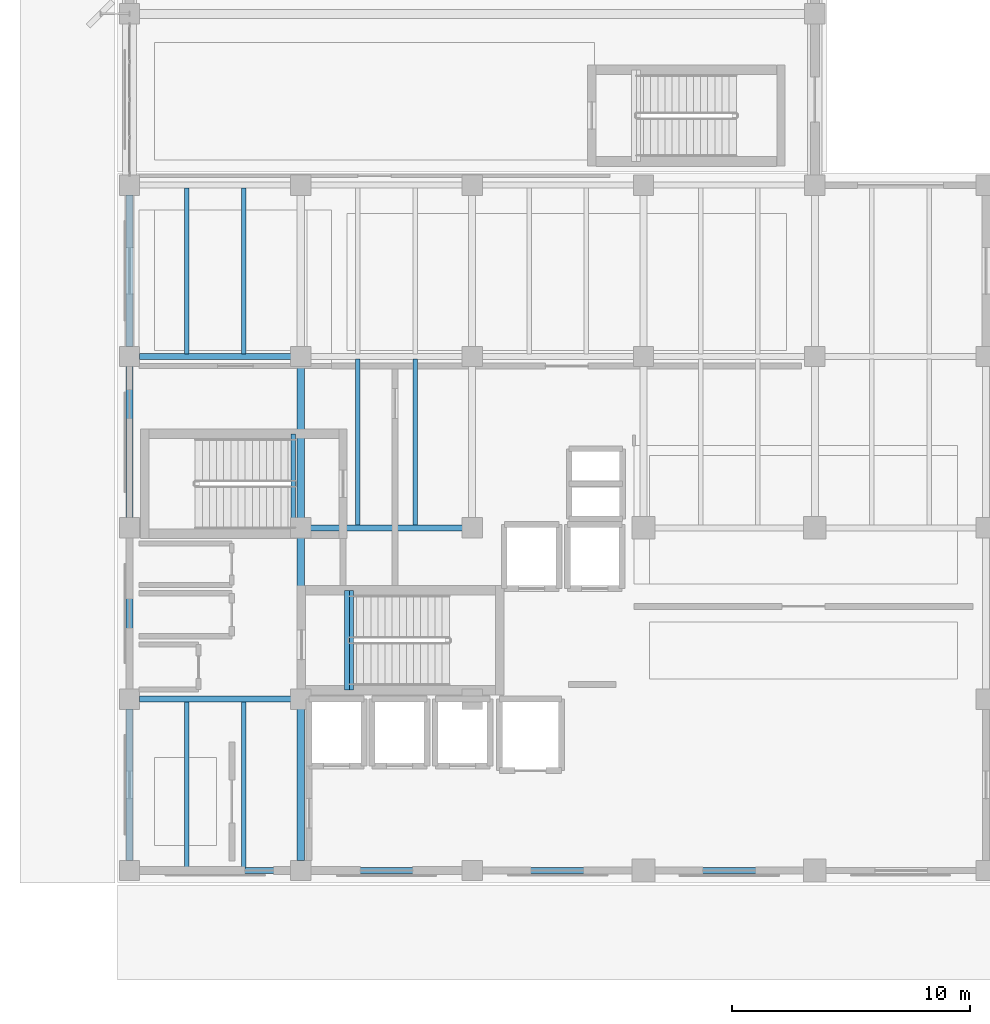
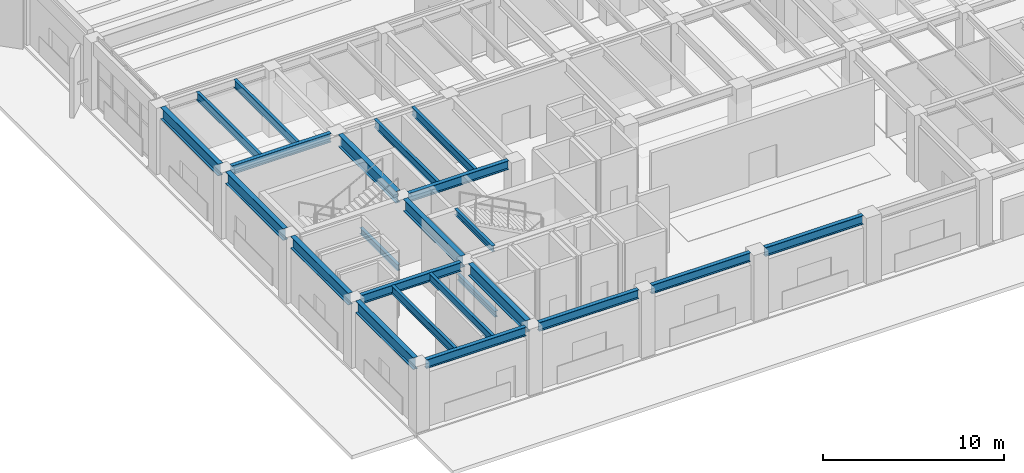
# One storey, part 4 of 39: 23 beams.
"""IFC4 building model written with IfcOpenShell, lengths in metres."""

from ifc_helpers import new_model, si_unit, direction, frame, origin, origin_2d, place, context, subcontext, project, spatial, i_section, extrude, material, material_profile, profile_set, type_object, element, save


model = new_model("IFC4")

# Units and contexts
model_context = context("Model", 3, precision=1e-05, world=origin(), true_north=direction((0.0, 1.0)))
body_context = subcontext(model_context, "Body", "Model", "MODEL_VIEW")
ifc_project = project(units=[si_unit("LENGTHUNIT", "METRE"), si_unit("AREAUNIT", "SQUARE_METRE"), si_unit("VOLUMEUNIT", "CUBIC_METRE"), si_unit("PLANEANGLEUNIT", "RADIAN"), si_unit("MASSUNIT", "GRAM", prefix="KILO")], contexts=[model_context])

# Site, building, storey
site_placement = place(None, origin())
site = spatial("IfcSite", under=ifc_project, at=site_placement, CompositionType="ELEMENT")
building_placement = place(site_placement, origin())
building = spatial("IfcBuilding", under=site, at=building_placement, Name="Kandorven Conservatory and Botanical Research Centre", CompositionType="ELEMENT")
storey_placement = place(building_placement, origin())
storey = spatial("IfcBuildingStorey", under=building, at=storey_placement, Name="L00", CompositionType="ELEMENT", Elevation=0.0)

# Beams
ifc_material_1 = material(Name="Steel S355 (IS 2062 E350)", Category="steel")
ifc_material_profile_1 = material_profile(ifc_material_1, i_section(OverallWidth=0.25, OverallDepth=0.60009765625, WebThickness=0.01171875, FlangeThickness=0.023681640625, at=origin_2d()))
ifc_profile_set_1 = profile_set([ifc_material_profile_1], Name="Steel S355 (IS 2062 E350)")
beam_type_1 = type_object("IfcBeamType", Name="Beam_FG-01", PredefinedType="USERDEFINED", material=ifc_profile_set_1)
beam_1_placement = place(storey_placement, frame((6.4150390625, 6.0, 4.179931640625), z_axis=(1.0, 0.0, 0.0), x_axis=(0.0, 1.0, 0.0)))
element("IfcBeam", 1, at=beam_1_placement, inside=storey, type_object=beam_type_1, Name="Primary girder FG-01 TWR L00", ObjectType="GIRDER", PredefinedType="USERDEFINED", context=body_context, shape_type="SweptSolid", body=[
    extrude(i_section(OverallWidth=0.25, OverallDepth=0.60009765625, WebThickness=0.01171875, FlangeThickness=0.023681640625, at=origin_2d()), origin(), (0.0, 0.0, 1.0), 6.369873046875),
])
beam_2_placement = place(storey_placement, frame((13.614990234375, 6.0, 4.179931640625), z_axis=(1.0, 0.0, 0.0), x_axis=(0.0, 1.0, 0.0)))
element("IfcBeam", 2, at=beam_2_placement, inside=storey, type_object=beam_type_1, Name="Primary girder FG-01 TWR L00", ObjectType="GIRDER", PredefinedType="USERDEFINED", context=body_context, shape_type="SweptSolid", body=[
    extrude(i_section(OverallWidth=0.25, OverallDepth=0.60009765625, WebThickness=0.01171875, FlangeThickness=0.023681640625, at=origin_2d()), origin(), (0.0, 0.0, 1.0), 6.3701171875),
])
beam_3_placement = place(storey_placement, frame((20.81494140625, 6.0, 4.179931640625), z_axis=(1.0, 0.0, 0.0), x_axis=(0.0, 1.0, 0.0)))
element("IfcBeam", 3, at=beam_3_placement, inside=storey, type_object=beam_type_1, Name="Primary girder FG-01 TWR L00", ObjectType="GIRDER", PredefinedType="USERDEFINED", context=body_context, shape_type="SweptSolid", body=[
    extrude(i_section(OverallWidth=0.25, OverallDepth=0.60009765625, WebThickness=0.01171875, FlangeThickness=0.023681640625, at=origin_2d()), origin(), (0.0, 0.0, 1.0), 6.320068359375),
])
beam_4_placement = place(storey_placement, frame((28.06494140625, 6.0, 4.179931640625), z_axis=(1.0, 0.0, 0.0), x_axis=(0.0, 1.0, 0.0)))
element("IfcBeam", 4, at=beam_4_placement, inside=storey, type_object=beam_type_1, Name="Primary girder FG-01 TWR L00", ObjectType="GIRDER", PredefinedType="USERDEFINED", context=body_context, shape_type="SweptSolid", body=[
    extrude(i_section(OverallWidth=0.25, OverallDepth=0.60009765625, WebThickness=0.01171875, FlangeThickness=0.023681640625, at=origin_2d()), origin(), (0.0, 0.0, 1.0), 6.27001953125),
])
beam_5_placement = place(storey_placement, frame((6.4150390625, 13.199951171875, 4.179931640625), z_axis=(1.0, 0.0, 0.0), x_axis=(0.0, 1.0, 0.0)))
element("IfcBeam", 5, at=beam_5_placement, inside=storey, type_object=beam_type_1, Name="Primary girder FG-01 TWR L00", ObjectType="GIRDER", PredefinedType="USERDEFINED", context=body_context, shape_type="SweptSolid", body=[
    extrude(i_section(OverallWidth=0.25, OverallDepth=0.60009765625, WebThickness=0.01171875, FlangeThickness=0.023681640625, at=origin_2d()), origin(), (0.0, 0.0, 1.0), 6.369873046875),
])
beam_6_placement = place(storey_placement, frame((13.614990234375, 20.39990234375, 4.179931640625), z_axis=(1.0, 0.0, 0.0), x_axis=(0.0, 1.0, 0.0)))
element("IfcBeam", 6, at=beam_6_placement, inside=storey, type_object=beam_type_1, Name="Primary girder FG-01 TWR L00", ObjectType="GIRDER", PredefinedType="USERDEFINED", context=body_context, shape_type="SweptSolid", body=[
    extrude(i_section(OverallWidth=0.25, OverallDepth=0.60009765625, WebThickness=0.01171875, FlangeThickness=0.023681640625, at=origin_2d()), origin(), (0.0, 0.0, 1.0), 6.3701171875),
])
beam_7_placement = place(storey_placement, frame((6.4150390625, 27.60009765625, 4.179931640625), z_axis=(1.0, 0.0, 0.0), x_axis=(0.0, 1.0, 0.0)))
element("IfcBeam", 7, at=beam_7_placement, inside=storey, type_object=beam_type_1, Name="Primary girder FG-01 TWR L00", ObjectType="GIRDER", PredefinedType="USERDEFINED", context=body_context, shape_type="SweptSolid", body=[
    extrude(i_section(OverallWidth=0.25, OverallDepth=0.60009765625, WebThickness=0.01171875, FlangeThickness=0.023681640625, at=origin_2d()), origin(), (0.0, 0.0, 1.0), 6.369873046875),
])
ifc_material_2 = material(Name="Steel S355 (IS 2062 E350)", Category="steel")
ifc_material_profile_2 = material_profile(ifc_material_2, i_section(OverallWidth=0.199951171875, OverallDepth=0.39990234375, WebThickness=0.008544921875, FlangeThickness=0.012939453125, at=origin_2d()))
ifc_profile_set_2 = profile_set([ifc_material_profile_2], Name="Steel S355 (IS 2062 E350)")
beam_type_2 = type_object("IfcBeamType", Name="Beam_FG-03", PredefinedType="USERDEFINED", material=ifc_profile_set_2)
for number, where, z_axis, x_axis, name in (
    (8, (15.320068359375, 13.580078125, -0.199951171875), (0.0, 1.0, 0.0), (-1.0, 0.0, 0.0), "Stair well bottom trimmer girder FG-03 ST-T1 L00"),
    (9, (15.139892578125, 13.580078125, 4.280029296875), (0.0, 1.0, 0.0), (-1.0, 0.0, 0.0), "Stair well top header girder FG-03 ST-T1 L00"),
):
    element("IfcBeam", number, at=place(storey_placement, frame(where, z_axis=z_axis, x_axis=x_axis)), inside=storey, type_object=beam_type_2, Name=name, ObjectType="GIRDER", PredefinedType="USERDEFINED", context=body_context, shape_type="SweptSolid", body=[
        extrude(i_section(OverallWidth=0.199951171875, OverallDepth=0.39990234375, WebThickness=0.008544921875, FlangeThickness=0.012939453125, at=origin_2d()), origin(), (0.0, 0.0, 1.0), 4.18994140625),
    ])
beam_8_placement = place(storey_placement, frame((12.8798828125, 24.35009765625, -0.199951171875), z_axis=(0.0, -1.0, 0.0), x_axis=(1.0, 0.0, 0.0)))
element("IfcBeam", 10, at=beam_8_placement, inside=storey, type_object=beam_type_2, Name="Stair well bottom trimmer girder FG-03 ST-T2 L00", ObjectType="GIRDER", PredefinedType="USERDEFINED", context=body_context, shape_type="SweptSolid", body=[
    extrude(i_section(OverallWidth=0.199951171875, OverallDepth=0.39990234375, WebThickness=0.008544921875, FlangeThickness=0.012939453125, at=origin_2d()), origin(), (0.0, 0.0, 1.0), 4.190185546875),
])
ifc_material_3 = material(Name="Steel S355 (IS 2062 E350)", Category="steel")
ifc_material_profile_3 = material_profile(ifc_material_3, i_section(OverallWidth=0.300048828125, OverallDepth=0.800048828125, WebThickness=0.01611328125, FlangeThickness=0.028076171875, at=origin_2d()))
ifc_profile_set_3 = profile_set([ifc_material_profile_3], Name="Steel S355 (IS 2062 E350)")
beam_type_3 = type_object("IfcBeamType", Name="Beam_PG-02", PredefinedType="USERDEFINED", material=ifc_profile_set_3)
beam_9_placement = place(storey_placement, frame((6.0, 6.4150390625, 4.080078125), z_axis=(0.0, 1.0, 0.0), x_axis=(-1.0, 0.0, 0.0)))
element("IfcBeam", 11, at=beam_9_placement, inside=storey, type_object=beam_type_3, Name="Primary girder PG-02 TWR L00", ObjectType="GIRDER", PredefinedType="USERDEFINED", context=body_context, shape_type="SweptSolid", body=[
    extrude(i_section(OverallWidth=0.300048828125, OverallDepth=0.800048828125, WebThickness=0.01611328125, FlangeThickness=0.028076171875, at=origin_2d()), origin(), (0.0, 0.0, 1.0), 6.369873046875),
])
for number, where, z_axis, x_axis, name in (
    (12, (6.0, 13.614990234375, 4.080078125), (0.0, 1.0, 0.0), (-1.0, 0.0, 0.0), "Primary girder PG-02 TWR L00"),
    (13, (6.0, 20.81494140625, 4.080078125), (0.0, 1.0, 0.0), (-1.0, 0.0, 0.0), "Primary girder PG-02 TWR L00"),
    (14, (6.0, 28.014892578125, 4.080078125), (0.0, 1.0, 0.0), (-1.0, 0.0, 0.0), "Primary girder PG-02 TWR L00"),
):
    element("IfcBeam", number, at=place(storey_placement, frame(where, z_axis=z_axis, x_axis=x_axis)), inside=storey, type_object=beam_type_3, Name=name, ObjectType="GIRDER", PredefinedType="USERDEFINED", context=body_context, shape_type="SweptSolid", body=[
        extrude(i_section(OverallWidth=0.300048828125, OverallDepth=0.800048828125, WebThickness=0.01611328125, FlangeThickness=0.028076171875, at=origin_2d()), origin(), (0.0, 0.0, 1.0), 6.3701171875),
    ])
beam_10_placement = place(storey_placement, frame((13.199951171875, 6.4150390625, 4.080078125), z_axis=(0.0, 1.0, 0.0), x_axis=(-1.0, 0.0, 0.0)))
element("IfcBeam", 15, at=beam_10_placement, inside=storey, type_object=beam_type_3, Name="Primary girder PG-02 TWR L00", ObjectType="GIRDER", PredefinedType="USERDEFINED", context=body_context, shape_type="SweptSolid", body=[
    extrude(i_section(OverallWidth=0.300048828125, OverallDepth=0.800048828125, WebThickness=0.01611328125, FlangeThickness=0.028076171875, at=origin_2d()), origin(), (0.0, 0.0, 1.0), 6.369873046875),
])
for number, where, z_axis, x_axis, name in (
    (16, (13.199951171875, 13.614990234375, 4.080078125), (0.0, 1.0, 0.0), (-1.0, 0.0, 0.0), "Primary girder PG-02 TWR L00"),
    (17, (13.199951171875, 20.81494140625, 4.080078125), (0.0, 1.0, 0.0), (-1.0, 0.0, 0.0), "Primary girder PG-02 TWR L00"),
):
    element("IfcBeam", number, at=place(storey_placement, frame(where, z_axis=z_axis, x_axis=x_axis)), inside=storey, type_object=beam_type_3, Name=name, ObjectType="GIRDER", PredefinedType="USERDEFINED", context=body_context, shape_type="SweptSolid", body=[
        extrude(i_section(OverallWidth=0.300048828125, OverallDepth=0.800048828125, WebThickness=0.01611328125, FlangeThickness=0.028076171875, at=origin_2d()), origin(), (0.0, 0.0, 1.0), 6.3701171875),
    ])
ifc_material_4 = material(Name="Steel S355 (IS 2062 E350)", Category="steel")
ifc_material_profile_4 = material_profile(ifc_material_4, i_section(OverallWidth=0.18994140625, OverallDepth=0.550048828125, WebThickness=0.01123046875, FlangeThickness=0.019287109375, at=origin_2d()))
ifc_profile_set_4 = profile_set([ifc_material_profile_4], Name="Steel S355 (IS 2062 E350)")
beam_type_4 = type_object("IfcBeamType", Name="Beam_SB-02", PredefinedType="BEAM", material=ifc_profile_set_4)
for number, where, z_axis, x_axis, name in (
    (18, (8.39990234375, 6.110107421875, 4.205078125), (0.0, 1.0, 0.0), (-1.0, 0.0, 0.0), "Composite secondary beam SB-02 TWR L00"),
    (19, (10.800048828125, 6.110107421875, 4.205078125), (0.0, 1.0, 0.0), (-1.0, 0.0, 0.0), "Composite secondary beam SB-02 TWR L00"),
    (20, (8.39990234375, 27.7099609375, 4.205078125), (0.0, 1.0, 0.0), (-1.0, 0.0, 0.0), "Composite secondary beam SB-02 TWR L00"),
    (21, (10.800048828125, 27.7099609375, 4.205078125), (0.0, 1.0, 0.0), (-1.0, 0.0, 0.0), "Composite secondary beam SB-02 TWR L00"),
    (22, (15.60009765625, 20.510009765625, 4.205078125), (0.0, 1.0, 0.0), (-1.0, 0.0, 0.0), "Composite secondary beam SB-02 TWR L00"),
    (23, (18.0, 20.510009765625, 4.205078125), (0.0, 1.0, 0.0), (-1.0, 0.0, 0.0), "Composite secondary beam SB-02 TWR L00"),
):
    element("IfcBeam", number, at=place(storey_placement, frame(where, z_axis=z_axis, x_axis=x_axis)), inside=storey, type_object=beam_type_4, Name=name, PredefinedType="BEAM", context=body_context, shape_type="SweptSolid", body=[
        extrude(i_section(OverallWidth=0.18994140625, OverallDepth=0.550048828125, WebThickness=0.01123046875, FlangeThickness=0.019287109375, at=origin_2d()), origin(), (0.0, 0.0, 1.0), 6.97998046875),
    ])

save(model, "model.ifc")
